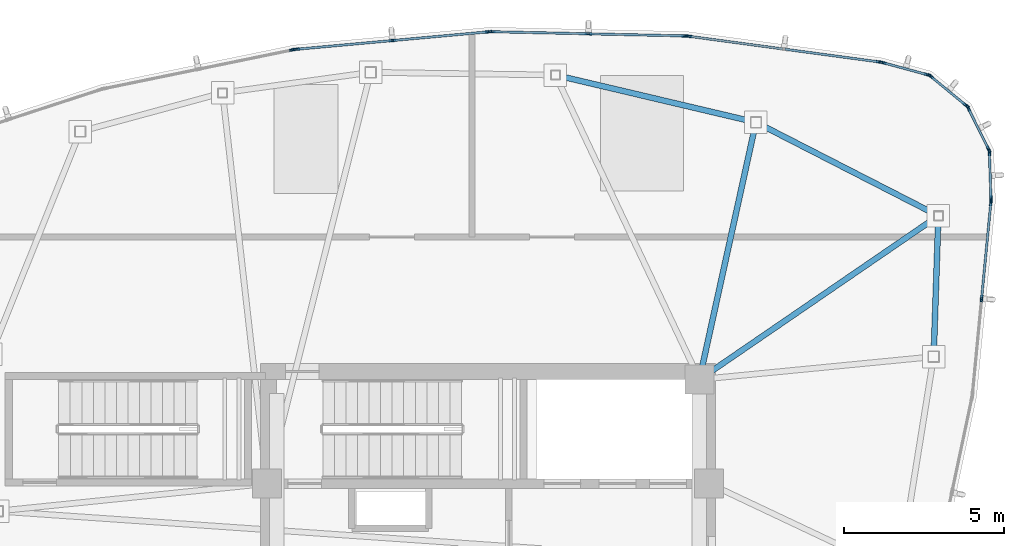
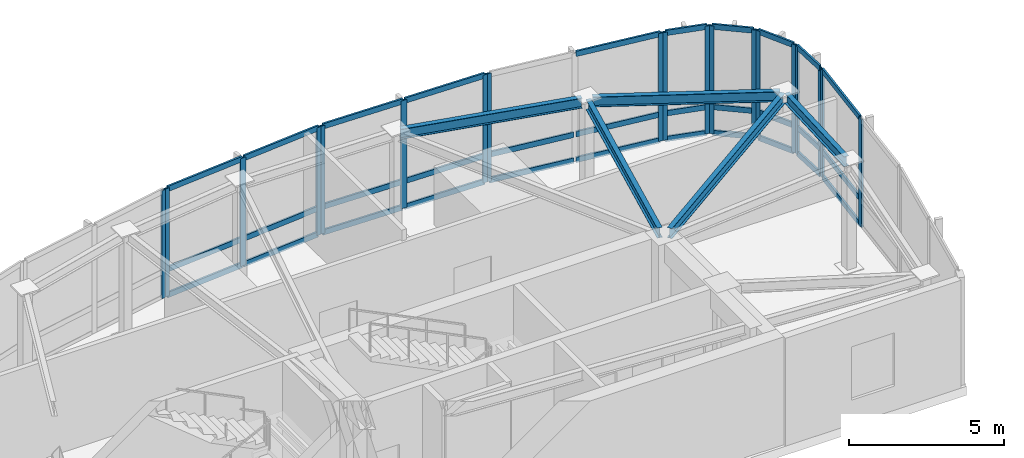
# One storey, part 7 of 16: 51 members, 5 beams, 9 elements without a shape of their own.
"""IFC4 building model written with IfcOpenShell, lengths in metres."""

from ifc_helpers import new_model, si_unit, direction, frame, origin, origin_2d, place, context, subcontext, project, spatial, hollow_rectangle, i_section, extrude, source, transform, mapped, material, layer, layer_set, material_profile, profile_set, type_object, type_shapes, element, aggregate, save


model = new_model("IFC4")

# Units and contexts
model_context = context("Model", 3, precision=1e-05, world=origin(), true_north=direction((0.0, 1.0)))
body_context = subcontext(model_context, "Body", "Model", "MODEL_VIEW")
ifc_project = project(units=[si_unit("LENGTHUNIT", "METRE"), si_unit("AREAUNIT", "SQUARE_METRE"), si_unit("VOLUMEUNIT", "CUBIC_METRE"), si_unit("PLANEANGLEUNIT", "RADIAN"), si_unit("MASSUNIT", "GRAM", prefix="KILO")], contexts=[model_context])

# Site, building, storey
site_placement = place(None, origin())
site = spatial("IfcSite", under=ifc_project, at=site_placement, CompositionType="ELEMENT")
building_placement = place(site_placement, origin())
building = spatial("IfcBuilding", under=site, at=building_placement, Name="Tavelor Broadcast Tower", CompositionType="ELEMENT")
storey_placement = place(building_placement, frame((0.0, 0.0, 336.699951171875)))
storey = spatial("IfcBuildingStorey", under=building, at=storey_placement, Name="L80", CompositionType="ELEMENT", Elevation=336.699951171875)

# Beams
ifc_material_1 = material(Name="Steel S355", Category="steel")
ifc_material_profile_1 = material_profile(ifc_material_1, i_section(OverallWidth=0.179931640625, OverallDepth=0.39990234375, WebThickness=0.008544921875, FlangeThickness=0.013427734375, at=origin_2d()), Name="IPE 400")
ifc_profile_set_1 = profile_set([ifc_material_profile_1], Name="Steel S355")
beam_type = type_object("IfcBeamType", Name="Crown Ring Spandrel Beam IPE400", PredefinedType="SPANDREL", material=ifc_profile_set_1)
beam_1_placement = place(storey_placement, frame((63.9169921875, 52.089111328125, 4.050048828125), z_axis=(0.033482656619, 0.99943929866, 0.0), x_axis=(-0.99943929866, 0.033482656619, 0.0)))
element("IfcBeam", 1, at=beam_1_placement, inside=storey, type_object=beam_type, Name="L80 Crown Peak A Ring Spandrel 5", PredefinedType="SPANDREL", context=body_context, shape_type="SweptSolid", body=[
    extrude(i_section(OverallWidth=0.179931640625, OverallDepth=0.39990234375, WebThickness=0.008544921875, FlangeThickness=0.013427734375, at=origin_2d()), origin(), (0.0, 0.0, 1.0), 4.068603515625),
])
beam_2_placement = place(storey_placement, frame((63.922119140625, 56.37841796875, 4.050048828125), z_axis=(-0.889973264193, 0.456012707083, 0.0), x_axis=(-0.456012707083, -0.889973264193, 0.0)))
element("IfcBeam", 2, at=beam_2_placement, inside=storey, type_object=beam_type, Name="L80 Crown Peak A Ring Spandrel 6", PredefinedType="SPANDREL", context=body_context, shape_type="SweptSolid", body=[
    extrude(i_section(OverallWidth=0.179931640625, OverallDepth=0.39990234375, WebThickness=0.008544921875, FlangeThickness=0.013427734375, at=origin_2d()), origin(), (0.0, 0.0, 1.0), 6.06689453125),
])
beam_3_placement = place(storey_placement, frame((56.956298828125, 51.444091796875, 4.050048828125), z_axis=(0.825037324604, 0.565078236185, 0.0), x_axis=(-0.565078236185, 0.825037324604, 0.0)))
element("IfcBeam", 3, at=beam_3_placement, inside=storey, type_object=beam_type, Name="L80 Crown Peak A Radial Beam 6", PredefinedType="SPANDREL", context=body_context, shape_type="SweptSolid", body=[
    extrude(i_section(OverallWidth=0.179931640625, OverallDepth=0.39990234375, WebThickness=0.008544921875, FlangeThickness=0.013427734375, at=origin_2d()), origin(), (0.0, 0.0, 1.0), 8.455078125),
])
beam_4_placement = place(storey_placement, frame((58.190185546875, 59.26708984375, 4.050048828125), z_axis=(-0.973331019838, 0.229405156485, 0.0), x_axis=(-0.229405156485, -0.973331019838, 0.0)))
element("IfcBeam", 4, at=beam_4_placement, inside=storey, type_object=beam_type, Name="L80 Crown Peak A Ring Spandrel 7", PredefinedType="SPANDREL", context=body_context, shape_type="SweptSolid", body=[
    extrude(i_section(OverallWidth=0.179931640625, OverallDepth=0.39990234375, WebThickness=0.008544921875, FlangeThickness=0.013427734375, at=origin_2d()), origin(), (0.0, 0.0, 1.0), 6.10009765625),
])
beam_5_placement = place(storey_placement, frame((56.692626953125, 51.621826171875, 4.050048828125), z_axis=(0.21466342247, 0.976688084832, 0.0), x_axis=(-0.976688084832, 0.21466342247, 0.0)))
element("IfcBeam", 5, at=beam_5_placement, inside=storey, type_object=beam_type, Name="L80 Crown Peak A Radial Beam 7", PredefinedType="SPANDREL", context=body_context, shape_type="SweptSolid", body=[
    extrude(i_section(OverallWidth=0.179931640625, OverallDepth=0.39990234375, WebThickness=0.008544921875, FlangeThickness=0.013427734375, at=origin_2d()), origin(), (0.0, 0.0, 1.0), 7.607421875),
])

# Curtain wall, members
ifc_material_2 = material(Name="Architectural Anodized Aluminium", Category="aluminium")
ifc_layer = layer(ifc_material_2, 0.2099609375)
ifc_layer_set = layer_set([ifc_layer], Name="Architectural Anodized Aluminium")
curtain_wall_type = type_object("IfcCurtainWallType", Name="Split-Crown Beacon Curtain Wall CW06", PredefinedType="NOTDEFINED", material=ifc_layer_set)
curtain_wall_1_placement = place(storey_placement, origin())
curtain_wall_1 = element("IfcCurtainWall", 6, at=curtain_wall_1_placement, inside=storey, type_object=curtain_wall_type, Name="L80 Curtain Wall CW06 Run 904", PredefinedType="NOTDEFINED")
ifc_material_profile_2 = material_profile(ifc_material_2, hollow_rectangle(XDim=0.072021484375, YDim=0.2099609375, WallThickness=0.02197265625, at=origin_2d()), Name="RHS 72x210x22")
ifc_profile_set_2 = profile_set([ifc_material_profile_2], Name="Architectural Anodized Aluminium")
member_type_1 = type_object("IfcMemberType", Name="CW06 Extruded Aluminium Mullion 72x210", PredefinedType="MULLION", material=ifc_profile_set_2)
shared_shape_1 = source(origin(), body_context, "Body", "SweptSolid", [
    extrude(hollow_rectangle(XDim=0.072021484375, YDim=0.2099609375, WallThickness=0.02197265625, at=origin_2d()), origin(), (0.0, 0.0, 1.0), 4.25),
])
type_shapes(member_type_1, [shared_shape_1])
member_1_placement = place(storey_placement, frame((65.406982421875, 53.724365234375, 0.0), z_axis=(0.0, 0.0, 1.0), x_axis=(-0.995362378537, 0.09619633773, 0.0)))
member_1 = element("IfcMember", 7, at=member_1_placement, type_object=member_type_1, Name="CW06 mullion 2", PredefinedType="MULLION", context=body_context, shape_type="MappedRepresentation", body=[
    mapped(shared_shape_1, transform((0.0, 0.0, 0.0), scale=1.0)),
])
member_2_placement = place(storey_placement, frame((65.69677734375, 56.723876953125, 0.0), z_axis=(0.0, 0.0, 1.0), x_axis=(-0.995362378537, 0.09619633773, 0.0)))
member_2 = element("IfcMember", 8, at=member_2_placement, type_object=member_type_1, Name="CW06 mullion 3", PredefinedType="MULLION", context=body_context, shape_type="MappedRepresentation", body=[
    mapped(shared_shape_1, transform((0.0, 0.0, 0.0), scale=1.0)),
])

curtain_wall_2_placement = place(storey_placement, origin())
curtain_wall_2 = element("IfcCurtainWall", 9, at=curtain_wall_2_placement, inside=storey, type_object=curtain_wall_type, Name="L80 Curtain Wall CW06 Run 905", PredefinedType="NOTDEFINED")
member_3_placement = place(storey_placement, frame((65.7001953125, 56.82568359375, 0.0), z_axis=(0.0, 0.0, 1.0), x_axis=(-0.999420875868, -0.034028118962, 0.0)))
member_3 = element("IfcMember", 10, at=member_3_placement, type_object=member_type_1, Name="CW06 mullion 1", PredefinedType="MULLION", context=body_context, shape_type="MappedRepresentation", body=[
    mapped(shared_shape_1, transform((0.0, 0.0, 0.0), scale=1.0)),
])
member_4_placement = place(storey_placement, frame((65.650390625, 58.283935546875, 0.0), z_axis=(0.0, 0.0, 1.0), x_axis=(-0.999420875868, -0.034028118962, 0.0)))
member_4 = element("IfcMember", 11, at=member_4_placement, type_object=member_type_1, Name="CW06 mullion 2", PredefinedType="MULLION", context=body_context, shape_type="MappedRepresentation", body=[
    mapped(shared_shape_1, transform((0.0, 0.0, 0.0), scale=1.0)),
])

curtain_wall_3_placement = place(storey_placement, origin())
curtain_wall_3 = element("IfcCurtainWall", 12, at=curtain_wall_3_placement, inside=storey, type_object=curtain_wall_type, Name="L80 Curtain Wall CW06 Run 906", PredefinedType="NOTDEFINED")
member_5_placement = place(storey_placement, frame((65.626220703125, 58.380859375, 0.0), z_axis=(0.0, 0.0, 1.0), x_axis=(-0.896850719515, -0.442333343652, 0.0)))
member_5 = element("IfcMember", 13, at=member_5_placement, type_object=member_type_1, Name="CW06 mullion 1", PredefinedType="MULLION", context=body_context, shape_type="MappedRepresentation", body=[
    mapped(shared_shape_1, transform((0.0, 0.0, 0.0), scale=1.0)),
])
member_6_placement = place(storey_placement, frame((64.989990234375, 59.670654296875, 0.0), z_axis=(0.0, 0.0, 1.0), x_axis=(-0.896850719515, -0.442333343652, 0.0)))
member_6 = element("IfcMember", 14, at=member_6_placement, type_object=member_type_1, Name="CW06 mullion 2", PredefinedType="MULLION", context=body_context, shape_type="MappedRepresentation", body=[
    mapped(shared_shape_1, transform((0.0, 0.0, 0.0), scale=1.0)),
])

curtain_wall_4_placement = place(storey_placement, origin())
curtain_wall_4 = element("IfcCurtainWall", 15, at=curtain_wall_4_placement, inside=storey, type_object=curtain_wall_type, Name="L80 Curtain Wall CW06 Run 907", PredefinedType="NOTDEFINED")
member_7_placement = place(storey_placement, frame((64.92822265625, 59.748779296875, 0.0), z_axis=(0.0, 0.0, 1.0), x_axis=(-0.6353915559, -0.772190113049, 0.0)))
member_7 = element("IfcMember", 16, at=member_7_placement, type_object=member_type_1, Name="CW06 mullion 1", PredefinedType="MULLION", context=body_context, shape_type="MappedRepresentation", body=[
    mapped(shared_shape_1, transform((0.0, 0.0, 0.0), scale=1.0)),
])
member_8_placement = place(storey_placement, frame((63.8173828125, 60.66259765625, 0.0), z_axis=(0.0, 0.0, 1.0), x_axis=(-0.6353915559, -0.772190113049, 0.0)))
member_8 = element("IfcMember", 17, at=member_8_placement, type_object=member_type_1, Name="CW06 mullion 2", PredefinedType="MULLION", context=body_context, shape_type="MappedRepresentation", body=[
    mapped(shared_shape_1, transform((0.0, 0.0, 0.0), scale=1.0)),
])

curtain_wall_5_placement = place(storey_placement, origin())
curtain_wall_5 = element("IfcCurtainWall", 18, at=curtain_wall_5_placement, inside=storey, type_object=curtain_wall_type, Name="L80 Curtain Wall CW06 Run 908", PredefinedType="NOTDEFINED")
member_9_placement = place(storey_placement, frame((63.728759765625, 60.70849609375, 0.0), z_axis=(0.0, 0.0, 1.0), x_axis=(-0.261376177758, -0.965237014262, 0.0)))
member_9 = element("IfcMember", 19, at=member_9_placement, type_object=member_type_1, Name="CW06 mullion 1", PredefinedType="MULLION", context=body_context, shape_type="MappedRepresentation", body=[
    mapped(shared_shape_1, transform((0.0, 0.0, 0.0), scale=1.0)),
])
member_10_placement = place(storey_placement, frame((62.320556640625, 61.08984375, 0.0), z_axis=(0.0, 0.0, 1.0), x_axis=(-0.261376177758, -0.965237014262, 0.0)))
member_10 = element("IfcMember", 20, at=member_10_placement, type_object=member_type_1, Name="CW06 mullion 2", PredefinedType="MULLION", context=body_context, shape_type="MappedRepresentation", body=[
    mapped(shared_shape_1, transform((0.0, 0.0, 0.0), scale=1.0)),
])

curtain_wall_6_placement = place(storey_placement, origin())
curtain_wall_6 = element("IfcCurtainWall", 21, at=curtain_wall_6_placement, inside=storey, type_object=curtain_wall_type, Name="L80 Curtain Wall CW06 Run 909", PredefinedType="NOTDEFINED")
member_11_placement = place(storey_placement, frame((62.220703125, 61.10986328125, 0.0), z_axis=(0.0, 0.0, 1.0), x_axis=(-0.133628487947, -0.991031496578, 0.0)))
member_11 = element("IfcMember", 22, at=member_11_placement, type_object=member_type_1, Name="CW06 mullion 1", PredefinedType="MULLION", context=body_context, shape_type="MappedRepresentation", body=[
    mapped(shared_shape_1, transform((0.0, 0.0, 0.0), scale=1.0)),
])
member_12_placement = place(storey_placement, frame((56.247802734375, 61.915283203125, 0.0), z_axis=(0.0, 0.0, 1.0), x_axis=(-0.133628487947, -0.991031496578, 0.0)))
member_12 = element("IfcMember", 23, at=member_12_placement, type_object=member_type_1, Name="CW06 mullion 3", PredefinedType="MULLION", context=body_context, shape_type="MappedRepresentation", body=[
    mapped(shared_shape_1, transform((0.0, 0.0, 0.0), scale=1.0)),
])

curtain_wall_7_placement = place(storey_placement, origin())
curtain_wall_7 = element("IfcCurtainWall", 24, at=curtain_wall_7_placement, inside=storey, type_object=curtain_wall_type, Name="L80 Curtain Wall CW06 Run 910", PredefinedType="NOTDEFINED")
member_13_placement = place(storey_placement, frame((56.146240234375, 61.923095703125, 0.0), z_axis=(0.0, 0.0, 1.0), x_axis=(-0.021786000052, -0.999762656935, 0.0)))
member_13 = element("IfcMember", 25, at=member_13_placement, type_object=member_type_1, Name="CW06 mullion 1", PredefinedType="MULLION", context=body_context, shape_type="MappedRepresentation", body=[
    mapped(shared_shape_1, transform((0.0, 0.0, 0.0), scale=1.0)),
])
member_14_placement = place(storey_placement, frame((53.1328125, 61.98876953125, 0.0), z_axis=(0.0, 0.0, 1.0), x_axis=(-0.021786000052, -0.999762656935, 0.0)))
member_14 = element("IfcMember", 26, at=member_14_placement, type_object=member_type_1, Name="CW06 mullion 2", PredefinedType="MULLION", context=body_context, shape_type="MappedRepresentation", body=[
    mapped(shared_shape_1, transform((0.0, 0.0, 0.0), scale=1.0)),
])
member_15_placement = place(storey_placement, frame((50.119384765625, 62.054443359375, 0.0), z_axis=(0.0, 0.0, 1.0), x_axis=(-0.021786000052, -0.999762656935, 0.0)))
member_15 = element("IfcMember", 27, at=member_15_placement, type_object=member_type_1, Name="CW06 mullion 3", PredefinedType="MULLION", context=body_context, shape_type="MappedRepresentation", body=[
    mapped(shared_shape_1, transform((0.0, 0.0, 0.0), scale=1.0)),
])

curtain_wall_8_placement = place(storey_placement, origin())
curtain_wall_8 = element("IfcCurtainWall", 28, at=curtain_wall_8_placement, inside=storey, type_object=curtain_wall_type, Name="L80 Curtain Wall CW06 Run 911", PredefinedType="NOTDEFINED")
member_16_placement = place(storey_placement, frame((50.017578125, 62.051025390625, 0.0), z_axis=(0.0, 0.0, 1.0), x_axis=(0.090355427129, -0.995909582637, 0.0)))
member_16 = element("IfcMember", 29, at=member_16_placement, type_object=member_type_1, Name="CW06 mullion 1", PredefinedType="MULLION", context=body_context, shape_type="MappedRepresentation", body=[
    mapped(shared_shape_1, transform((0.0, 0.0, 0.0), scale=1.0)),
])
member_17_placement = place(storey_placement, frame((47.015869140625, 61.77880859375, 0.0), z_axis=(0.0, 0.0, 1.0), x_axis=(0.090355427129, -0.995909582637, 0.0)))
member_17 = element("IfcMember", 30, at=member_17_placement, type_object=member_type_1, Name="CW06 mullion 2", PredefinedType="MULLION", context=body_context, shape_type="MappedRepresentation", body=[
    mapped(shared_shape_1, transform((0.0, 0.0, 0.0), scale=1.0)),
])
member_18_placement = place(storey_placement, frame((44.013916015625, 61.50634765625, 0.0), z_axis=(0.0, 0.0, 1.0), x_axis=(0.090355427129, -0.995909582637, 0.0)))
member_18 = element("IfcMember", 31, at=member_18_placement, type_object=member_type_1, Name="CW06 mullion 3", PredefinedType="MULLION", context=body_context, shape_type="MappedRepresentation", body=[
    mapped(shared_shape_1, transform((0.0, 0.0, 0.0), scale=1.0)),
])

# Curtain wall, member
curtain_wall_9_placement = place(storey_placement, origin())
curtain_wall_9 = element("IfcCurtainWall", 32, at=curtain_wall_9_placement, inside=storey, type_object=curtain_wall_type, Name="L80 Curtain Wall CW06 Run 912", PredefinedType="NOTDEFINED")
member_19_placement = place(storey_placement, frame((43.913330078125, 61.491455078125, 0.0), z_axis=(0.0, 0.0, 1.0), x_axis=(0.201352725749, -0.979518800143, 0.0)))
member_19 = element("IfcMember", 33, at=member_19_placement, type_object=member_type_1, Name="CW06 mullion 1", PredefinedType="MULLION", context=body_context, shape_type="MappedRepresentation", body=[
    mapped(shared_shape_1, transform((0.0, 0.0, 0.0), scale=1.0)),
])
aggregate(curtain_wall_9, [member_19])

# Member
ifc_material_profile_3 = material_profile(ifc_material_2, hollow_rectangle(XDim=0.072021484375, YDim=0.2099609375, WallThickness=0.02197265625, at=origin_2d()), Name="RHS 72x210x22")
ifc_profile_set_3 = profile_set([ifc_material_profile_3], Name="Architectural Anodized Aluminium")
member_type_2 = type_object("IfcMemberType", Name="CW06 Extruded Aluminium Transom 72x210", PredefinedType="USERDEFINED", material=ifc_profile_set_3)
shared_shape_2 = source(origin(), body_context, "Body", "SweptSolid", [
    extrude(hollow_rectangle(XDim=0.072021484375, YDim=0.2099609375, WallThickness=0.02197265625, at=origin_2d()), origin(), (0.0, 0.0, 1.0), 2.941650390625),
])
member_20_placement = place(storey_placement, frame((65.410400390625, 53.76025390625, 0.0361328125), z_axis=(0.096191572622, 0.995362839047, 0.0), x_axis=(-0.995362839047, 0.096191572622, 0.0)))
member_20 = element("IfcMember", 34, at=member_20_placement, type_object=member_type_2, Name="CW06 transom 2.1", ObjectType="TRANSOM", PredefinedType="USERDEFINED", context=body_context, shape_type="MappedRepresentation", body=[
    mapped(shared_shape_2, transform((0.0, 0.0, 0.0), scale=1.0)),
])

member_21_placement = place(storey_placement, frame((65.410400390625, 53.76025390625, 1.050048828125), z_axis=(0.096191572622, 0.995362839047, 0.0), x_axis=(-0.995362839047, 0.096191572622, 0.0)))
member_21 = element("IfcMember", 35, at=member_21_placement, type_object=member_type_2, Name="CW06 transom 2.2", ObjectType="TRANSOM", PredefinedType="USERDEFINED", context=body_context, shape_type="MappedRepresentation", body=[
    mapped(shared_shape_2, transform((0.0, 0.0, 0.0), scale=1.0)),
])

member_22_placement = place(storey_placement, frame((65.410400390625, 53.76025390625, 4.214111328125), z_axis=(0.096191572622, 0.995362839047, 0.0), x_axis=(-0.995362839047, 0.096191572622, 0.0)))
member_22 = element("IfcMember", 36, at=member_22_placement, type_object=member_type_2, Name="CW06 transom 2.3", ObjectType="TRANSOM", PredefinedType="USERDEFINED", context=body_context, shape_type="MappedRepresentation", body=[
    mapped(shared_shape_2, transform((0.0, 0.0, 0.0), scale=1.0)),
])

aggregate(curtain_wall_1, [member_1, member_2, member_20, member_21, member_22])

shared_shape_3 = source(origin(), body_context, "Body", "SweptSolid", [
    extrude(hollow_rectangle(XDim=0.072021484375, YDim=0.2099609375, WallThickness=0.02197265625, at=origin_2d()), origin(), (0.0, 0.0, 1.0), 1.38720703125),
])
member_23_placement = place(storey_placement, frame((63.694091796875, 60.7177734375, 0.0361328125), z_axis=(-0.965237473969, 0.261374480096, 0.0), x_axis=(-0.261374480096, -0.965237473969, 0.0)))
member_23 = element("IfcMember", 37, at=member_23_placement, type_object=member_type_2, Name="CW06 transom 1.1", ObjectType="TRANSOM", PredefinedType="USERDEFINED", context=body_context, shape_type="MappedRepresentation", body=[
    mapped(shared_shape_3, transform((0.0, 0.0, 0.0), scale=1.0)),
])

member_24_placement = place(storey_placement, frame((63.694091796875, 60.7177734375, 1.050048828125), z_axis=(-0.965237473969, 0.261374480096, 0.0), x_axis=(-0.261374480096, -0.965237473969, 0.0)))
member_24 = element("IfcMember", 38, at=member_24_placement, type_object=member_type_2, Name="CW06 transom 1.2", ObjectType="TRANSOM", PredefinedType="USERDEFINED", context=body_context, shape_type="MappedRepresentation", body=[
    mapped(shared_shape_3, transform((0.0, 0.0, 0.0), scale=1.0)),
])

member_25_placement = place(storey_placement, frame((63.694091796875, 60.7177734375, 4.214111328125), z_axis=(-0.965237473969, 0.261374480096, 0.0), x_axis=(-0.261374480096, -0.965237473969, 0.0)))
member_25 = element("IfcMember", 39, at=member_25_placement, type_object=member_type_2, Name="CW06 transom 1.3", ObjectType="TRANSOM", PredefinedType="USERDEFINED", context=body_context, shape_type="MappedRepresentation", body=[
    mapped(shared_shape_3, transform((0.0, 0.0, 0.0), scale=1.0)),
])

aggregate(curtain_wall_5, [member_9, member_10, member_23, member_24, member_25])

shared_shape_4 = source(origin(), body_context, "Body", "SweptSolid", [
    extrude(hollow_rectangle(XDim=0.072021484375, YDim=0.2099609375, WallThickness=0.02197265625, at=origin_2d()), origin(), (0.0, 0.0, 1.0), 1.3662109375),
])
member_26_placement = place(storey_placement, frame((64.900390625, 59.771728515625, 0.0361328125), z_axis=(-0.772306642845, 0.635249910994, 0.0), x_axis=(-0.635249910994, -0.772306642845, 0.0)))
member_26 = element("IfcMember", 40, at=member_26_placement, type_object=member_type_2, Name="CW06 transom 1.1", ObjectType="TRANSOM", PredefinedType="USERDEFINED", context=body_context, shape_type="MappedRepresentation", body=[
    mapped(shared_shape_4, transform((0.0, 0.0, 0.0), scale=1.0)),
])

member_27_placement = place(storey_placement, frame((64.900390625, 59.771728515625, 1.050048828125), z_axis=(-0.772306642845, 0.635249910994, 0.0), x_axis=(-0.635249910994, -0.772306642845, 0.0)))
member_27 = element("IfcMember", 41, at=member_27_placement, type_object=member_type_2, Name="CW06 transom 1.2", ObjectType="TRANSOM", PredefinedType="USERDEFINED", context=body_context, shape_type="MappedRepresentation", body=[
    mapped(shared_shape_4, transform((0.0, 0.0, 0.0), scale=1.0)),
])

member_28_placement = place(storey_placement, frame((64.900390625, 59.771728515625, 4.214111328125), z_axis=(-0.772306642845, 0.635249910994, 0.0), x_axis=(-0.635249910994, -0.772306642845, 0.0)))
member_28 = element("IfcMember", 42, at=member_28_placement, type_object=member_type_2, Name="CW06 transom 1.3", ObjectType="TRANSOM", PredefinedType="USERDEFINED", context=body_context, shape_type="MappedRepresentation", body=[
    mapped(shared_shape_4, transform((0.0, 0.0, 0.0), scale=1.0)),
])

aggregate(curtain_wall_4, [member_7, member_8, member_26, member_27, member_28])

shared_shape_5 = source(origin(), body_context, "Body", "SweptSolid", [
    extrude(hollow_rectangle(XDim=0.072021484375, YDim=0.2099609375, WallThickness=0.02197265625, at=origin_2d()), origin(), (0.0, 0.0, 1.0), 2.94140625),
])
member_29_placement = place(storey_placement, frame((62.18505859375, 61.11474609375, 0.0361328125), z_axis=(-0.991031091038, 0.133631495525, 0.0), x_axis=(-0.133631495525, -0.991031091038, 0.0)))
member_29 = element("IfcMember", 43, at=member_29_placement, type_object=member_type_2, Name="CW06 transom 1.1", ObjectType="TRANSOM", PredefinedType="USERDEFINED", context=body_context, shape_type="MappedRepresentation", body=[
    mapped(shared_shape_5, transform((0.0, 0.0, 0.0), scale=1.0)),
])

member_30_placement = place(storey_placement, frame((62.18505859375, 61.11474609375, 1.050048828125), z_axis=(-0.991031091038, 0.133631495525, 0.0), x_axis=(-0.133631495525, -0.991031091038, 0.0)))
member_30 = element("IfcMember", 44, at=member_30_placement, type_object=member_type_2, Name="CW06 transom 1.2", ObjectType="TRANSOM", PredefinedType="USERDEFINED", context=body_context, shape_type="MappedRepresentation", body=[
    mapped(shared_shape_5, transform((0.0, 0.0, 0.0), scale=1.0)),
])

member_31_placement = place(storey_placement, frame((62.18505859375, 61.11474609375, 4.214111328125), z_axis=(-0.991031091038, 0.133631495525, 0.0), x_axis=(-0.133631495525, -0.991031091038, 0.0)))
member_31 = element("IfcMember", 45, at=member_31_placement, type_object=member_type_2, Name="CW06 transom 1.3", ObjectType="TRANSOM", PredefinedType="USERDEFINED", context=body_context, shape_type="MappedRepresentation", body=[
    mapped(shared_shape_5, transform((0.0, 0.0, 0.0), scale=1.0)),
])

member_32_placement = place(storey_placement, frame((59.198486328125, 61.517333984375, 0.0361328125), z_axis=(-0.991031091038, 0.133631495525, 0.0), x_axis=(-0.133631495525, -0.991031091038, 0.0)))
member_32 = element("IfcMember", 46, at=member_32_placement, type_object=member_type_2, Name="CW06 transom 2.1", ObjectType="TRANSOM", PredefinedType="USERDEFINED", context=body_context, shape_type="MappedRepresentation", body=[
    mapped(shared_shape_5, transform((0.0, 0.0, 0.0), scale=1.0)),
])

member_33_placement = place(storey_placement, frame((59.198486328125, 61.517333984375, 1.050048828125), z_axis=(-0.991031091038, 0.133631495525, 0.0), x_axis=(-0.133631495525, -0.991031091038, 0.0)))
member_33 = element("IfcMember", 47, at=member_33_placement, type_object=member_type_2, Name="CW06 transom 2.2", ObjectType="TRANSOM", PredefinedType="USERDEFINED", context=body_context, shape_type="MappedRepresentation", body=[
    mapped(shared_shape_5, transform((0.0, 0.0, 0.0), scale=1.0)),
])

aggregate(curtain_wall_6, [member_11, member_12, member_29, member_30, member_31, member_32, member_33])

shared_shape_6 = source(origin(), body_context, "Body", "SweptSolid", [
    extrude(hollow_rectangle(XDim=0.072021484375, YDim=0.2099609375, WallThickness=0.02197265625, at=origin_2d()), origin(), (0.0, 0.0, 1.0), 2.94189453125),
])
member_34_placement = place(storey_placement, frame((49.981689453125, 62.0478515625, 0.0361328125), z_axis=(-0.995908157449, -0.090371134361, 0.0), x_axis=(0.090371134361, -0.995908157449, 0.0)))
member_34 = element("IfcMember", 48, at=member_34_placement, type_object=member_type_2, Name="CW06 transom 1.1", ObjectType="TRANSOM", PredefinedType="USERDEFINED", context=body_context, shape_type="MappedRepresentation", body=[
    mapped(shared_shape_6, transform((0.0, 0.0, 0.0), scale=1.0)),
])

member_35_placement = place(storey_placement, frame((49.981689453125, 62.0478515625, 1.050048828125), z_axis=(-0.995908157449, -0.090371134361, 0.0), x_axis=(0.090371134361, -0.995908157449, 0.0)))
member_35 = element("IfcMember", 49, at=member_35_placement, type_object=member_type_2, Name="CW06 transom 1.2", ObjectType="TRANSOM", PredefinedType="USERDEFINED", context=body_context, shape_type="MappedRepresentation", body=[
    mapped(shared_shape_6, transform((0.0, 0.0, 0.0), scale=1.0)),
])

member_36_placement = place(storey_placement, frame((49.981689453125, 62.0478515625, 4.214111328125), z_axis=(-0.995908157449, -0.090371134361, 0.0), x_axis=(0.090371134361, -0.995908157449, 0.0)))
member_36 = element("IfcMember", 50, at=member_36_placement, type_object=member_type_2, Name="CW06 transom 1.3", ObjectType="TRANSOM", PredefinedType="USERDEFINED", context=body_context, shape_type="MappedRepresentation", body=[
    mapped(shared_shape_6, transform((0.0, 0.0, 0.0), scale=1.0)),
])

shared_shape_7 = source(origin(), body_context, "Body", "SweptSolid", [
    extrude(hollow_rectangle(XDim=0.072021484375, YDim=0.2099609375, WallThickness=0.02197265625, at=origin_2d()), origin(), (0.0, 0.0, 1.0), 2.9423828125),
])
member_37_placement = place(storey_placement, frame((53.096923828125, 61.98974609375, 0.0361328125), z_axis=(-0.999763671226, 0.021739404254, 0.0), x_axis=(-0.021739404254, -0.999763671226, 0.0)))
member_37 = element("IfcMember", 51, at=member_37_placement, type_object=member_type_2, Name="CW06 transom 2.1", ObjectType="TRANSOM", PredefinedType="USERDEFINED", context=body_context, shape_type="MappedRepresentation", body=[
    mapped(shared_shape_7, transform((0.0, 0.0, 0.0), scale=1.0)),
])

member_38_placement = place(storey_placement, frame((53.096923828125, 61.98974609375, 1.050048828125), z_axis=(-0.999763671226, 0.021739404254, 0.0), x_axis=(-0.021739404254, -0.999763671226, 0.0)))
member_38 = element("IfcMember", 52, at=member_38_placement, type_object=member_type_2, Name="CW06 transom 2.2", ObjectType="TRANSOM", PredefinedType="USERDEFINED", context=body_context, shape_type="MappedRepresentation", body=[
    mapped(shared_shape_7, transform((0.0, 0.0, 0.0), scale=1.0)),
])

member_39_placement = place(storey_placement, frame((53.096923828125, 61.98974609375, 4.214111328125), z_axis=(-0.999763671226, 0.021739404254, 0.0), x_axis=(-0.021739404254, -0.999763671226, 0.0)))
member_39 = element("IfcMember", 53, at=member_39_placement, type_object=member_type_2, Name="CW06 transom 2.3", ObjectType="TRANSOM", PredefinedType="USERDEFINED", context=body_context, shape_type="MappedRepresentation", body=[
    mapped(shared_shape_7, transform((0.0, 0.0, 0.0), scale=1.0)),
])

shared_shape_8 = source(origin(), body_context, "Body", "SweptSolid", [
    extrude(hollow_rectangle(XDim=0.072021484375, YDim=0.2099609375, WallThickness=0.02197265625, at=origin_2d()), origin(), (0.0, 0.0, 1.0), 2.942138671875),
])
member_40_placement = place(storey_placement, frame((56.110107421875, 61.924072265625, 0.0361328125), z_axis=(-0.999763632007, 0.021741207801, 0.0), x_axis=(-0.021741207801, -0.999763632007, 0.0)))
member_40 = element("IfcMember", 54, at=member_40_placement, type_object=member_type_2, Name="CW06 transom 1.1", ObjectType="TRANSOM", PredefinedType="USERDEFINED", context=body_context, shape_type="MappedRepresentation", body=[
    mapped(shared_shape_8, transform((0.0, 0.0, 0.0), scale=1.0)),
])

member_41_placement = place(storey_placement, frame((56.110107421875, 61.924072265625, 1.050048828125), z_axis=(-0.999763632007, 0.021741207801, 0.0), x_axis=(-0.021741207801, -0.999763632007, 0.0)))
member_41 = element("IfcMember", 55, at=member_41_placement, type_object=member_type_2, Name="CW06 transom 1.2", ObjectType="TRANSOM", PredefinedType="USERDEFINED", context=body_context, shape_type="MappedRepresentation", body=[
    mapped(shared_shape_8, transform((0.0, 0.0, 0.0), scale=1.0)),
])

member_42_placement = place(storey_placement, frame((56.110107421875, 61.924072265625, 4.214111328125), z_axis=(-0.999763632007, 0.021741207801, 0.0), x_axis=(-0.021741207801, -0.999763632007, 0.0)))
member_42 = element("IfcMember", 56, at=member_42_placement, type_object=member_type_2, Name="CW06 transom 1.3", ObjectType="TRANSOM", PredefinedType="USERDEFINED", context=body_context, shape_type="MappedRepresentation", body=[
    mapped(shared_shape_8, transform((0.0, 0.0, 0.0), scale=1.0)),
])

aggregate(curtain_wall_7, [member_13, member_14, member_15, member_40, member_41, member_42, member_37, member_38, member_39])

member_43_placement = place(storey_placement, frame((46.97998046875, 61.775390625, 0.0361328125), z_axis=(-0.995908835103, -0.090363666175, 0.0), x_axis=(0.090363666175, -0.995908835103, 0.0)))
member_43 = element("IfcMember", 57, at=member_43_placement, type_object=member_type_2, Name="CW06 transom 2.1", ObjectType="TRANSOM", PredefinedType="USERDEFINED", context=body_context, shape_type="MappedRepresentation", body=[
    mapped(shared_shape_8, transform((0.0, 0.0, 0.0), scale=1.0)),
])

member_44_placement = place(storey_placement, frame((46.97998046875, 61.775390625, 1.050048828125), z_axis=(-0.995908835103, -0.090363666175, 0.0), x_axis=(0.090363666175, -0.995908835103, 0.0)))
member_44 = element("IfcMember", 58, at=member_44_placement, type_object=member_type_2, Name="CW06 transom 2.2", ObjectType="TRANSOM", PredefinedType="USERDEFINED", context=body_context, shape_type="MappedRepresentation", body=[
    mapped(shared_shape_8, transform((0.0, 0.0, 0.0), scale=1.0)),
])

member_45_placement = place(storey_placement, frame((46.97998046875, 61.775390625, 4.214111328125), z_axis=(-0.995908835103, -0.090363666175, 0.0), x_axis=(0.090363666175, -0.995908835103, 0.0)))
member_45 = element("IfcMember", 59, at=member_45_placement, type_object=member_type_2, Name="CW06 transom 2.3", ObjectType="TRANSOM", PredefinedType="USERDEFINED", context=body_context, shape_type="MappedRepresentation", body=[
    mapped(shared_shape_8, transform((0.0, 0.0, 0.0), scale=1.0)),
])

aggregate(curtain_wall_8, [member_16, member_17, member_18, member_34, member_35, member_36, member_43, member_44, member_45])

shared_shape_9 = source(origin(), body_context, "Body", "SweptSolid", [
    extrude(hollow_rectangle(XDim=0.072021484375, YDim=0.2099609375, WallThickness=0.02197265625, at=origin_2d()), origin(), (0.0, 0.0, 1.0), 1.386962890625),
])
member_46_placement = place(storey_placement, frame((65.69873046875, 56.86181640625, 0.0361328125), z_axis=(-0.033971222721, 0.99942281144, 0.0), x_axis=(-0.99942281144, -0.033971222721, 0.0)))
member_46 = element("IfcMember", 60, at=member_46_placement, type_object=member_type_2, Name="CW06 transom 1.1", ObjectType="TRANSOM", PredefinedType="USERDEFINED", context=body_context, shape_type="MappedRepresentation", body=[
    mapped(shared_shape_9, transform((0.0, 0.0, 0.0), scale=1.0)),
])

member_47_placement = place(storey_placement, frame((65.69873046875, 56.86181640625, 1.050048828125), z_axis=(-0.033971222721, 0.99942281144, 0.0), x_axis=(-0.99942281144, -0.033971222721, 0.0)))
member_47 = element("IfcMember", 61, at=member_47_placement, type_object=member_type_2, Name="CW06 transom 1.2", ObjectType="TRANSOM", PredefinedType="USERDEFINED", context=body_context, shape_type="MappedRepresentation", body=[
    mapped(shared_shape_9, transform((0.0, 0.0, 0.0), scale=1.0)),
])

member_48_placement = place(storey_placement, frame((65.69873046875, 56.86181640625, 4.214111328125), z_axis=(-0.033971222721, 0.99942281144, 0.0), x_axis=(-0.99942281144, -0.033971222721, 0.0)))
member_48 = element("IfcMember", 62, at=member_48_placement, type_object=member_type_2, Name="CW06 transom 1.3", ObjectType="TRANSOM", PredefinedType="USERDEFINED", context=body_context, shape_type="MappedRepresentation", body=[
    mapped(shared_shape_9, transform((0.0, 0.0, 0.0), scale=1.0)),
])

aggregate(curtain_wall_2, [member_3, member_4, member_46, member_47, member_48])

shared_shape_10 = source(origin(), body_context, "Body", "SweptSolid", [
    extrude(hollow_rectangle(XDim=0.072021484375, YDim=0.2099609375, WallThickness=0.02197265625, at=origin_2d()), origin(), (0.0, 0.0, 1.0), 1.366455078125),
])
type_shapes(member_type_2, [shared_shape_2, shared_shape_3, shared_shape_4, shared_shape_5, shared_shape_6, shared_shape_7, shared_shape_8, shared_shape_9, shared_shape_10])
member_49_placement = place(storey_placement, frame((65.6103515625, 58.4130859375, 0.0361328125), z_axis=(-0.442418488179, 0.896808720585, 0.0), x_axis=(-0.896808720585, -0.442418488179, 0.0)))
member_49 = element("IfcMember", 63, at=member_49_placement, type_object=member_type_2, Name="CW06 transom 1.1", ObjectType="TRANSOM", PredefinedType="USERDEFINED", context=body_context, shape_type="MappedRepresentation", body=[
    mapped(shared_shape_10, transform((0.0, 0.0, 0.0), scale=1.0)),
])

member_50_placement = place(storey_placement, frame((65.6103515625, 58.4130859375, 1.050048828125), z_axis=(-0.442418488179, 0.896808720585, 0.0), x_axis=(-0.896808720585, -0.442418488179, 0.0)))
member_50 = element("IfcMember", 64, at=member_50_placement, type_object=member_type_2, Name="CW06 transom 1.2", ObjectType="TRANSOM", PredefinedType="USERDEFINED", context=body_context, shape_type="MappedRepresentation", body=[
    mapped(shared_shape_10, transform((0.0, 0.0, 0.0), scale=1.0)),
])

member_51_placement = place(storey_placement, frame((65.6103515625, 58.4130859375, 4.214111328125), z_axis=(-0.442418488179, 0.896808720585, 0.0), x_axis=(-0.896808720585, -0.442418488179, 0.0)))
member_51 = element("IfcMember", 65, at=member_51_placement, type_object=member_type_2, Name="CW06 transom 1.3", ObjectType="TRANSOM", PredefinedType="USERDEFINED", context=body_context, shape_type="MappedRepresentation", body=[
    mapped(shared_shape_10, transform((0.0, 0.0, 0.0), scale=1.0)),
])

aggregate(curtain_wall_3, [member_5, member_6, member_49, member_50, member_51])

save(model, "model.ifc")
